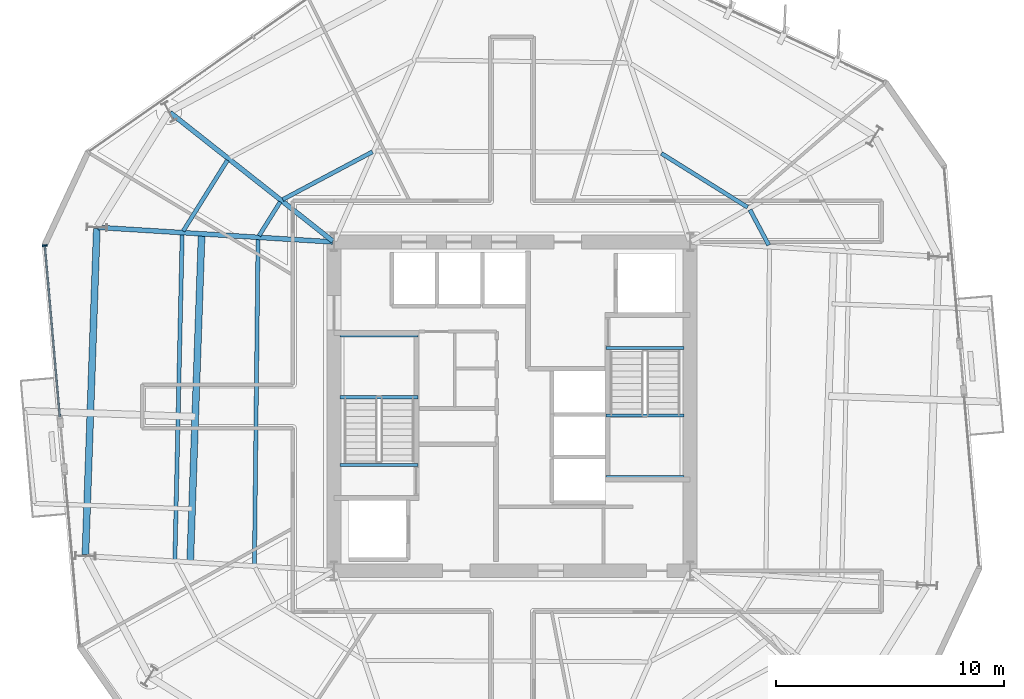
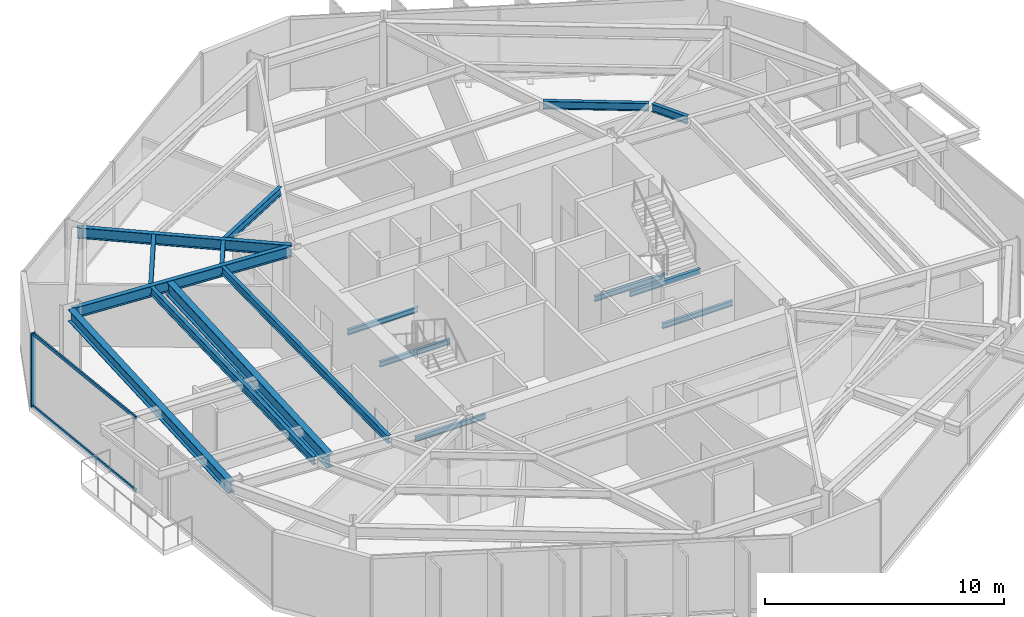
# One storey, part 3 of 13: 17 beams, 3 members, 1 element without a shape of its own.
"""IFC4 building model written with IfcOpenShell, lengths in metres."""

import ifcopenshell
import ifcopenshell.guid

model = None  # the IFC model being written
_history = None  # IfcOwnerHistory: only IFC2X3 demands one
_inside = {}  # id of a spatial element -> (the spatial element, [elements in it])
_under = {}  # id of a project, library or spatial element -> (it, [spatial elements below it])
_declared = {}  # id of a project -> (the project, [libraries it declares])
_typed = {}  # id of a type object -> (the type object, [elements of that type])
_made_of = {}  # id of a material, layer set ... -> (it, [elements and type objects made of it])


def new_model(schema):
    """Start an empty IFC model of exactly this schema.

    Asked for "IFC4X3", IfcOpenShell would pick the latest addendum, in which some entities
    have other attributes; the version numbers below select the first issue.
    IFC2X3 requires an IfcOwnerHistory on every rooted entity: one is made here for all.
    """
    global model, _history
    if schema == "IFC4X3":
        model = ifcopenshell.file(schema_version=(4, 3, 0, 0))
    else:
        model = ifcopenshell.file(schema=schema)
    _inside.clear()
    _under.clear()
    _declared.clear()
    _typed.clear()
    _made_of.clear()
    _history = None
    if model.schema == "IFC2X3":
        org = make("IfcOrganization", Name="unknown")
        user = make(
            "IfcPersonAndOrganization",
            ThePerson=make("IfcPerson", FamilyName="unknown"),
            TheOrganization=org,
        )
        app = make(
            "IfcApplication",
            ApplicationDeveloper=org,
            Version="unknown",
            ApplicationFullName="unknown",
            ApplicationIdentifier="unknown",
        )
        _history = make(
            "IfcOwnerHistory",
            OwningUser=user,
            OwningApplication=app,
            ChangeAction="ADDED",
            CreationDate=0,
        )
    return model


def make(cls, **values):
    """One entity of the class cls with the attributes given. An attribute that is None is left unset."""
    return model.create_entity(
        cls, **{name: value for name, value in values.items() if value is not None}
    )


def rooted(cls, **values):
    """An entity with a GlobalId (a new one), such as an element, a storey or a relation."""
    return make(cls, GlobalId=ifcopenshell.guid.new(), OwnerHistory=_history, **values)


def si_unit(unit_type, name, prefix=None):
    """IfcSIUnit, for example si_unit("LENGTHUNIT", "METRE", prefix="MILLI")."""
    return make("IfcSIUnit", UnitType=unit_type, Prefix=prefix, Name=name)


def assignment(units):
    """IfcUnitAssignment: the units of a project."""
    return None if units is None else make("IfcUnitAssignment", Units=units)


def point(xyz):
    """IfcCartesianPoint."""
    return None if xyz is None else make("IfcCartesianPoint", Coordinates=xyz)


def direction(xyz):
    """IfcDirection."""
    return None if xyz is None else make("IfcDirection", DirectionRatios=xyz)


def frame(location, z_axis=None, x_axis=None):
    """IfcAxis2Placement3D, a coordinate frame: its origin and axes. An axis left out is left unset."""
    return make(
        "IfcAxis2Placement3D",
        Location=point(location),
        Axis=direction(z_axis),
        RefDirection=direction(x_axis),
    )


def frame_2d(location, x_axis=None):
    """IfcAxis2Placement2D, a coordinate frame in the plane: its origin and x axis."""
    return make(
        "IfcAxis2Placement2D", Location=point(location), RefDirection=direction(x_axis)
    )


def origin():
    """The frame at (0, 0, 0) with its axes left unset."""
    return frame((0.0, 0.0, 0.0))


def origin_2d():
    """The frame at (0, 0) in the plane with its x axis left unset."""
    return frame_2d((0.0, 0.0))


def place(relative_to, where):
    """IfcLocalPlacement: puts the frame where relative to a parent placement (None: the world)."""
    return make(
        "IfcLocalPlacement", PlacementRelTo=relative_to, RelativePlacement=where
    )


def context(
    kind, dimensions, precision=None, world=None, true_north=None, identifier=None
):
    """IfcGeometricRepresentationContext, for example the 3D "Model" context."""
    return make(
        "IfcGeometricRepresentationContext",
        ContextIdentifier=identifier,
        ContextType=kind,
        CoordinateSpaceDimension=dimensions,
        Precision=precision,
        WorldCoordinateSystem=world,
        TrueNorth=true_north,
    )


def subcontext(parent, identifier, kind, view, scale=None):
    """IfcGeometricRepresentationSubContext, for example "Body" below "Model"."""
    return make(
        "IfcGeometricRepresentationSubContext",
        ContextIdentifier=identifier,
        ContextType=kind,
        ParentContext=parent,
        TargetScale=scale,
        TargetView=view,
    )


def project(units=None, contexts=None):
    """IfcProject with its units and contexts."""
    return rooted(
        "IfcProject",
        Name="project",
        RepresentationContexts=contexts,
        UnitsInContext=assignment(units),
    )


def spatial(cls, under=None, at=None, **own):
    """A site, building, storey or space (cls), placed at a placement, below another one or the project."""
    s = rooted(cls, ObjectPlacement=at, **own)
    if under is not None:
        _under.setdefault(under.id(), (under, []))[1].append(s)
    return s


def profile(cls, at=None, kind="AREA", **sizes):
    """A parametric profile (cls). Its sizes go by their IFC names, for example OverallWidth=200.0."""
    return make(cls, ProfileType=kind, Position=at, **sizes)


def rectangle(**sizes):
    """IfcRectangleProfileDef."""
    return profile("IfcRectangleProfileDef", **sizes)


def i_section(**sizes):
    """IfcIShapeProfileDef."""
    return profile("IfcIShapeProfileDef", **sizes)


def extrude(swept, where, along, depth):
    """IfcExtrudedAreaSolid: the profile swept, set in the frame where, extruded along a direction by depth."""
    return make(
        "IfcExtrudedAreaSolid",
        SweptArea=swept,
        Position=where,
        ExtrudedDirection=direction(along),
        Depth=depth,
    )


def shape(context_of_items, identifier, shape_type, items):
    """IfcShapeRepresentation: the items that make up one representation, for example the "Body"."""
    return make(
        "IfcShapeRepresentation",
        ContextOfItems=context_of_items,
        RepresentationIdentifier=identifier,
        RepresentationType=shape_type,
        Items=items,
    )


def material(Name=None, Category=None):
    """IfcMaterial."""
    return make("IfcMaterial", Name=Name, Category=Category)


def layer(
    of_material, thickness, ventilated=None, Name=None, Category=None, Priority=None
):
    """IfcMaterialLayer: one layer of a wall or slab, of a material (None: an air gap)."""
    return make(
        "IfcMaterialLayer",
        Material=of_material,
        LayerThickness=thickness,
        IsVentilated=ventilated,
        Name=Name,
        Category=Category,
        Priority=Priority,
    )


def layer_set(layers, Name=None):
    """IfcMaterialLayerSet."""
    return make("IfcMaterialLayerSet", MaterialLayers=layers, LayerSetName=Name)


def material_profile(
    of_material, cross_section, Name=None, Category=None, Priority=None
):
    """IfcMaterialProfile: a cross section and its material."""
    return make(
        "IfcMaterialProfile",
        Name=Name,
        Material=of_material,
        Profile=cross_section,
        Priority=Priority,
        Category=Category,
    )


def profile_set(profiles, Name=None, composite=None):
    """IfcMaterialProfileSet."""
    return make(
        "IfcMaterialProfileSet",
        Name=Name,
        MaterialProfiles=profiles,
        CompositeProfile=composite,
    )


def made_of(thing, what):
    """Note that an element or type object is made of a material, layer set ...; save() writes the relation."""
    if what is not None:
        _made_of.setdefault(what.id(), (what, []))[1].append(thing)
    return thing


def type_object(cls, material=None, **own):
    """A type object (cls), such as IfcWallType, which elements share."""
    return made_of(rooted(cls, **own), material)


def element(
    cls,
    number,
    at=None,
    inside=None,
    cuts=None,
    type_object=None,
    material=None,
    context=None,
    identifier="Body",
    shape_type=None,
    held_by="IfcProductDefinitionShape",
    body=None,
    shapes=None,
    **own,
):
    """One element of the class cls, such as IfcWall. Its Tag is "e" and its number.

    at: its placement. inside: the storey or other place that contains it. cuts: it is an
    opening in that element (IfcRelVoidsElement). A single representation is given by context,
    identifier, shape_type and body (its items); several are given by shapes. held_by: the class
    of the entity that holds the representations. save() writes the other relations.
    """
    e = rooted(cls, Tag="e%d" % number, ObjectPlacement=at, **own)
    if body is not None:
        shapes = [shape(context, identifier, shape_type, body)]
    if shapes is not None:
        e.Representation = make(held_by, Representations=shapes)
    if inside is not None:
        _inside.setdefault(inside.id(), (inside, []))[1].append(e)
    if cuts is not None:
        rooted(
            "IfcRelVoidsElement", RelatingBuildingElement=cuts, RelatedOpeningElement=e
        )
    if type_object is not None:
        _typed.setdefault(type_object.id(), (type_object, []))[1].append(e)
    return made_of(e, material)


def aggregate(whole, parts):
    """IfcRelAggregates: a whole, such as a stair, and the parts it consists of."""
    return rooted("IfcRelAggregates", RelatingObject=whole, RelatedObjects=parts)


def save(model, path):
    """Write the relations noted so far, then the file.

    IfcRelAggregates (storeys below a building ...), IfcRelContainedInSpatialStructure (elements
    in a storey), IfcRelDefinesByType, IfcRelAssociatesMaterial and IfcRelDeclares: one each for
    every whole, place, type object, material and project.
    """
    for whole, parts in _under.values():
        aggregate(whole, parts)
    for where, things in _inside.values():
        rooted(
            "IfcRelContainedInSpatialStructure",
            RelatedElements=things,
            RelatingStructure=where,
        )
    for kind, things in _typed.values():
        rooted("IfcRelDefinesByType", RelatedObjects=things, RelatingType=kind)
    for what, things in _made_of.values():
        rooted("IfcRelAssociatesMaterial", RelatedObjects=things, RelatingMaterial=what)
    for by, libraries in _declared.values():
        rooted("IfcRelDeclares", RelatingContext=by, RelatedDefinitions=libraries)
    model.write(path)


model = new_model("IFC4")

# Units and contexts
model_context = context("Model", 3, precision=1e-05, world=origin(), true_north=direction((0.0, 1.0)))
body_context = subcontext(model_context, "Body", "Model", "MODEL_VIEW")
ifc_project = project(units=[si_unit("LENGTHUNIT", "METRE"), si_unit("AREAUNIT", "SQUARE_METRE"), si_unit("VOLUMEUNIT", "CUBIC_METRE"), si_unit("PLANEANGLEUNIT", "RADIAN"), si_unit("MASSUNIT", "GRAM", prefix="KILO")], contexts=[model_context])

# Site, building, storey
site_placement = place(None, origin())
site = spatial("IfcSite", under=ifc_project, at=site_placement, CompositionType="ELEMENT")
building_placement = place(site_placement, origin())
building = spatial("IfcBuilding", under=site, at=building_placement, Name="Kranzbogen Civic Tower", CompositionType="ELEMENT")
storey_placement = place(building_placement, frame((0.0, 0.0, 162.39990234375)))
storey = spatial("IfcBuildingStorey", under=building, at=storey_placement, Name="L39", CompositionType="ELEMENT", Elevation=162.39990234375)

# Curtain wall, members
ifc_material_1 = material(Name="Pale Anodised Aluminium", Category="aluminium")
ifc_layer = layer(ifc_material_1, 0.219970703125, Name="Pale Anodised Aluminium")
ifc_layer_set = layer_set([ifc_layer], Name="Pale Anodised Aluminium")
curtain_wall_type = type_object("IfcCurtainWallType", Name="Zone 2 Stick Curtain Wall System CW-03", PredefinedType="USERDEFINED", material=ifc_layer_set)
curtain_wall_placement = place(storey_placement, origin())
curtain_wall = element("IfcCurtainWall", 1, at=curtain_wall_placement, inside=storey, type_object=curtain_wall_type, Name="L39 curtain wall CW-L39-F3-S1", ObjectType="STICK CURTAIN WALL", PredefinedType="USERDEFINED")
ifc_material_profile_1 = material_profile(ifc_material_1, rectangle(XDim=0.074951171875, YDim=0.219970703125, at=origin_2d()), Name="ALU-M 75x220")
ifc_profile_set_1 = profile_set([ifc_material_profile_1], Name="Pale Anodised Aluminium")
member_type_1 = type_object("IfcMemberType", Name="Curtain Wall Mullion ALU-M 75x220", PredefinedType="MULLION", material=ifc_profile_set_1)
member_1_placement = place(storey_placement, frame((4.53564453125, 32.047119140625, 0.0), z_axis=(0.0, 0.0, 1.0), x_axis=(0.087121445202, -0.996197698143, 0.0)))
member_1 = element("IfcMember", 2, at=member_1_placement, type_object=member_type_1, Name="CW-03 mullion 1", PredefinedType="MULLION", context=body_context, shape_type="SweptSolid", body=[
    extrude(rectangle(XDim=0.074951171875, YDim=0.219970703125, at=origin_2d()), origin(), (0.0, 0.0, 1.0), 3.760009765625),
])
ifc_material_profile_2 = material_profile(ifc_material_1, rectangle(XDim=0.074951171875, YDim=0.1650390625, at=origin_2d()), Name="ALU-T 75x165")
ifc_profile_set_2 = profile_set([ifc_material_profile_2], Name="Pale Anodised Aluminium")
member_type_2 = type_object("IfcMemberType", Name="Curtain Wall Transom ALU-T 75x165", PredefinedType="USERDEFINED", material=ifc_profile_set_2)
member_2_placement = place(storey_placement, frame((4.538330078125, 32.017333984375, 0.030029296875), z_axis=(0.087118981193, -0.996197913628, 0.0), x_axis=(0.996197913628, 0.087118981193, 0.0)))
member_2 = element("IfcMember", 3, at=member_2_placement, type_object=member_type_2, Name="CW-03 transom 1.1", ObjectType="TRANSOM", PredefinedType="USERDEFINED", context=body_context, shape_type="SweptSolid", body=[
    extrude(rectangle(XDim=0.074951171875, YDim=0.1650390625, at=origin_2d()), origin(), (0.0, 0.0, 1.0), 7.51318359375),
])
member_3_placement = place(storey_placement, frame((4.538330078125, 32.017333984375, 3.72998046875), z_axis=(0.087118981193, -0.996197913628, 0.0), x_axis=(0.996197913628, 0.087118981193, 0.0)))
member_3 = element("IfcMember", 4, at=member_3_placement, type_object=member_type_2, Name="CW-03 transom 1.2", ObjectType="TRANSOM", PredefinedType="USERDEFINED", context=body_context, shape_type="SweptSolid", body=[
    extrude(rectangle(XDim=0.074951171875, YDim=0.1650390625, at=origin_2d()), origin(), (0.0, 0.0, 1.0), 7.51318359375),
])
aggregate(curtain_wall, [member_1, member_2, member_3])

# Beams
ifc_material_2 = material(Name="Steel S355", Category="steel")
ifc_material_profile_3 = material_profile(ifc_material_2, i_section(OverallWidth=0.300048828125, OverallDepth=0.60009765625, WebThickness=0.015380859375, FlangeThickness=0.030029296875, at=origin_2d()), Name="HEB 600")
ifc_profile_set_3 = profile_set([ifc_material_profile_3], Name="Steel S355")
beam_type_1 = type_object("IfcBeamType", Name="Perimeter Tube Spandrel Beam HEB 600", PredefinedType="SPANDREL", material=ifc_profile_set_3)
beam_1_placement = place(storey_placement, frame((6.81103515625, 32.783935546875, 3.460205078125), z_axis=(-0.034924229103, -0.999389963038, 0.0), x_axis=(0.999389963038, -0.034924229103, 0.0)))
element("IfcBeam", 5, at=beam_1_placement, inside=storey, type_object=beam_type_1, Name="L39 perimeter spandrel beam 12", PredefinedType="SPANDREL", context=body_context, shape_type="SweptSolid", body=[
    extrude(i_section(OverallWidth=0.300048828125, OverallDepth=0.60009765625, WebThickness=0.015380859375, FlangeThickness=0.030029296875, at=origin_2d()), origin(), (0.0, 0.0, 1.0), 14.288818359375),
])
ifc_material_profile_4 = material_profile(ifc_material_2, i_section(OverallWidth=0.300048828125, OverallDepth=0.699951171875, WebThickness=0.01708984375, FlangeThickness=0.031982421875, at=origin_2d()), Name="HEB 700")
ifc_profile_set_4 = profile_set([ifc_material_profile_4], Name="Steel S355")
beam_type_2 = type_object("IfcBeamType", Name="Perimeter Tube Spandrel Beam HEB 700", PredefinedType="SPANDREL", material=ifc_profile_set_4)
beam_2_placement = place(storey_placement, frame((11.404052734375, 32.55908203125, 3.400146484375), z_axis=(-0.034868227602, -0.99939191847, 0.0), x_axis=(0.99939191847, -0.034868227602, 0.0)))
element("IfcBeam", 6, at=beam_2_placement, inside=storey, type_object=beam_type_2, Name="L40 balcony back-span header girder L40-TB1", PredefinedType="SPANDREL", context=body_context, shape_type="SweptSolid", body=[
    extrude(i_section(OverallWidth=0.300048828125, OverallDepth=0.699951171875, WebThickness=0.01708984375, FlangeThickness=0.031982421875, at=origin_2d()), origin(), (0.0, 0.0, 1.0), 14.395751953125),
])
ifc_material_profile_5 = material_profile(ifc_material_2, i_section(OverallWidth=0.2099609375, OverallDepth=0.550048828125, WebThickness=0.010986328125, FlangeThickness=0.01708984375, at=origin_2d()), Name="IPE 550")
ifc_profile_set_5 = profile_set([ifc_material_profile_5], Name="Steel S355")
beam_type_3 = type_object("IfcBeamType", Name="Radial Tower Floor Girder IPE 550", PredefinedType="BEAM", material=ifc_profile_set_5)
beam_3_placement = place(storey_placement, frame((10.02392578125, 37.87109375, 3.485107421875), z_axis=(0.78457455683, -0.620034486763, 0.0), x_axis=(0.620034486763, 0.78457455683, 0.0)))
element("IfcBeam", 7, at=beam_3_placement, inside=storey, type_object=beam_type_3, Name="L39 radial floor girder 11", PredefinedType="BEAM", context=body_context, shape_type="SweptSolid", body=[
    extrude(i_section(OverallWidth=0.2099609375, OverallDepth=0.550048828125, WebThickness=0.010986328125, FlangeThickness=0.01708984375, at=origin_2d()), origin(), (0.0, 0.0, 1.0), 9.086669921875),
])
beam_4_placement = place(storey_placement, frame((6.873046875, 32.840087890625, 3.485107421875), z_axis=(0.998086872961, -0.061827130147, 0.0), x_axis=(0.061827130147, 0.998086872961, 0.0)))
element("IfcBeam", 8, at=beam_4_placement, inside=storey, type_object=beam_type_3, Name="L39 radial floor girder 12", PredefinedType="BEAM", context=body_context, shape_type="SweptSolid", body=[
    extrude(i_section(OverallWidth=0.2099609375, OverallDepth=0.550048828125, WebThickness=0.010986328125, FlangeThickness=0.01708984375, at=origin_2d()), origin(), (0.0, 0.0, 1.0), 10.28662109375),
])
ifc_material_profile_6 = material_profile(ifc_material_2, i_section(OverallWidth=0.179931640625, OverallDepth=0.39990234375, WebThickness=0.008544921875, FlangeThickness=0.013427734375, at=origin_2d()), Name="IPE 400")
ifc_profile_set_6 = profile_set([ifc_material_profile_6], Name="Steel S355")
beam_type_4 = type_object("IfcBeamType", Name="Secondary Composite Floor Joist IPE 400", PredefinedType="JOIST", material=ifc_profile_set_6)
beam_5_placement = place(storey_placement, frame((36.2470703125, 32.06494140625, 3.56005859375), z_axis=(-0.46943723363, 0.882965845139, 0.0), x_axis=(-0.882965845139, -0.46943723363, 0.0)))
element("IfcBeam", 9, at=beam_5_placement, inside=storey, type_object=beam_type_4, Name="L39 secondary floor joist 2.07", PredefinedType="JOIST", context=body_context, shape_type="SweptSolid", body=[
    extrude(i_section(OverallWidth=0.179931640625, OverallDepth=0.39990234375, WebThickness=0.008544921875, FlangeThickness=0.013427734375, at=origin_2d()), origin(), (0.0, 0.0, 1.0), 1.7509765625),
])
beam_6_placement = place(storey_placement, frame((35.320068359375, 33.72412109375, 3.56005859375), z_axis=(-0.848093834398, 0.529846060716, 0.0), x_axis=(-0.529846060716, -0.848093834398, 0.0)))
element("IfcBeam", 10, at=beam_6_placement, inside=storey, type_object=beam_type_4, Name="L39 secondary floor joist 2.08", PredefinedType="JOIST", context=body_context, shape_type="SweptSolid", body=[
    extrude(i_section(OverallWidth=0.179931640625, OverallDepth=0.39990234375, WebThickness=0.008544921875, FlangeThickness=0.013427734375, at=origin_2d()), origin(), (0.0, 0.0, 1.0), 4.4501953125),
])
beam_7_placement = place(storey_placement, frame((18.888916015625, 36.153076171875, 3.56005859375), z_axis=(-0.882991399158, -0.469389165844, 0.0), x_axis=(0.469389165844, -0.882991399158, 0.0)))
element("IfcBeam", 11, at=beam_7_placement, inside=storey, type_object=beam_type_4, Name="L39 secondary floor joist 2.10", PredefinedType="JOIST", context=body_context, shape_type="SweptSolid", body=[
    extrude(i_section(OverallWidth=0.179931640625, OverallDepth=0.39990234375, WebThickness=0.008544921875, FlangeThickness=0.013427734375, at=origin_2d()), origin(), (0.0, 0.0, 1.0), 4.45068359375),
])
beam_8_placement = place(storey_placement, frame((12.534912109375, 35.784912109375, 3.56005859375), z_axis=(-0.529867065107, -0.848080711557, 0.0), x_axis=(0.848080711557, -0.529867065107, 0.0)))
element("IfcBeam", 12, at=beam_8_placement, inside=storey, type_object=beam_type_4, Name="L39 secondary floor joist 1.11", PredefinedType="JOIST", context=body_context, shape_type="SweptSolid", body=[
    extrude(i_section(OverallWidth=0.179931640625, OverallDepth=0.39990234375, WebThickness=0.008544921875, FlangeThickness=0.013427734375, at=origin_2d()), origin(), (0.0, 0.0, 1.0), 3.6611328125),
])
beam_9_placement = place(storey_placement, frame((14.845947265625, 33.958984375, 3.56005859375), z_axis=(-0.529572623603, -0.84826460278, 0.0), x_axis=(0.84826460278, -0.529572623603, 0.0)))
element("IfcBeam", 13, at=beam_9_placement, inside=storey, type_object=beam_type_4, Name="L39 secondary floor joist 2.11", PredefinedType="JOIST", context=body_context, shape_type="SweptSolid", body=[
    extrude(i_section(OverallWidth=0.179931640625, OverallDepth=0.39990234375, WebThickness=0.008544921875, FlangeThickness=0.013427734375, at=origin_2d()), origin(), (0.0, 0.0, 1.0), 1.75048828125),
])
beam_10_placement = place(storey_placement, frame((10.551025390625, 32.531982421875, 3.56005859375), z_axis=(-0.022402523442, -0.999749031979, 0.0), x_axis=(0.999749031979, -0.022402523442, 0.0)))
element("IfcBeam", 14, at=beam_10_placement, inside=storey, type_object=beam_type_4, Name="L39 secondary floor joist 1.12", PredefinedType="JOIST", context=body_context, shape_type="SweptSolid", body=[
    extrude(i_section(OverallWidth=0.179931640625, OverallDepth=0.39990234375, WebThickness=0.008544921875, FlangeThickness=0.013427734375, at=origin_2d()), origin(), (0.0, 0.0, 1.0), 14.24365234375),
])
beam_11_placement = place(storey_placement, frame((13.875, 32.325927734375, 3.56005859375), z_axis=(-0.011160516663, -0.999937719494, 0.0), x_axis=(0.999937719494, -0.011160516663, 0.0)))
element("IfcBeam", 15, at=beam_11_placement, inside=storey, type_object=beam_type_4, Name="L39 secondary floor joist 2.12", PredefinedType="JOIST", context=body_context, shape_type="SweptSolid", body=[
    extrude(i_section(OverallWidth=0.179931640625, OverallDepth=0.39990234375, WebThickness=0.008544921875, FlangeThickness=0.013427734375, at=origin_2d()), origin(), (0.0, 0.0, 1.0), 14.240966796875),
])
ifc_material_profile_7 = material_profile(ifc_material_2, i_section(OverallWidth=0.135009765625, OverallDepth=0.27001953125, WebThickness=0.006591796875, FlangeThickness=0.01025390625, at=origin_2d()), Name="IPE 270")
ifc_profile_set_7 = profile_set([ifc_material_profile_7], Name="Steel S355")
beam_type_5 = type_object("IfcBeamType", Name="Stair Landing Support Beam IPE 270", PredefinedType="JOIST", material=ifc_profile_set_7)
for number, where, z_axis, x_axis, name in (
    (16, (20.8798828125, 22.43994140625, -0.375), (-1.0, 0.0, 0.0), (0.0, -1.0, 0.0), "L39 ST-T1 stair floor header beam"),
    (17, (20.8798828125, 25.39990234375, 1.6650390625), (-1.0, 0.0, 0.0), (0.0, -1.0, 0.0), "L39 ST-T1 landing support beam 1.1"),
    (18, (20.8798828125, 28.10009765625, 1.6650390625), (-1.0, 0.0, 0.0), (0.0, -1.0, 0.0), "L39 ST-T1 landing support beam 1.2"),
    (19, (29.1201171875, 27.56005859375, -0.375), (1.0, 0.0, 0.0), (0.0, 1.0, 0.0), "L39 ST-T2 stair floor header beam"),
    (20, (29.1201171875, 24.60009765625, 1.6650390625), (1.0, 0.0, 0.0), (0.0, 1.0, 0.0), "L39 ST-T2 landing support beam 1.1"),
    (21, (29.1201171875, 21.89990234375, 1.6650390625), (1.0, 0.0, 0.0), (0.0, 1.0, 0.0), "L39 ST-T2 landing support beam 1.2"),
):
    element("IfcBeam", number, at=place(storey_placement, frame(where, z_axis=z_axis, x_axis=x_axis)), inside=storey, type_object=beam_type_5, Name=name, PredefinedType="JOIST", context=body_context, shape_type="SweptSolid", body=[
        extrude(i_section(OverallWidth=0.135009765625, OverallDepth=0.27001953125, WebThickness=0.006591796875, FlangeThickness=0.01025390625, at=origin_2d()), origin(), (0.0, 0.0, 1.0), 3.409912109375),
    ])

save(model, "model.ifc")
